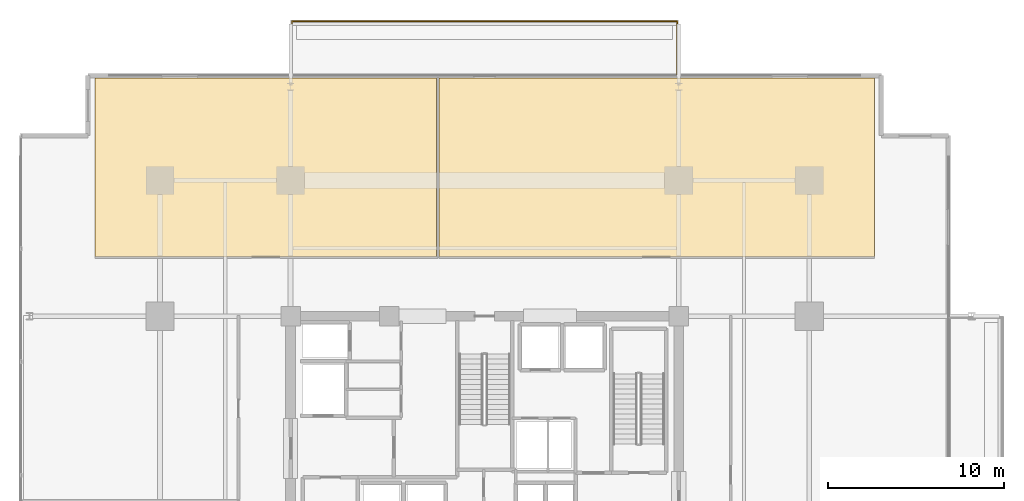
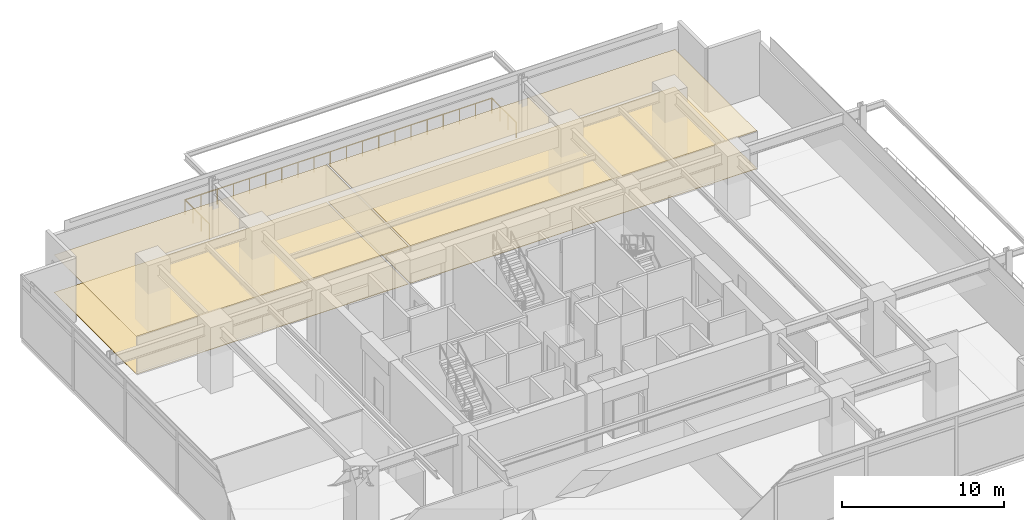
# One storey, part 20 of 20: 4 coverings, 1 railing.
"""IFC4 building model written with IfcOpenShell, lengths in metres."""

from ifc_helpers import new_model, si_unit, direction, frame, origin, origin_2d, place, context, subcontext, project, spatial, polyline, circle, outline, extrude, material, layer, layer_set, type_object, element, save


model = new_model("IFC4")

# Units and contexts
model_context = context("Model", 3, precision=1e-05, world=origin(), true_north=direction((0.0, 1.0)))
body_context = subcontext(model_context, "Body", "Model", "MODEL_VIEW")
ifc_project = project(units=[si_unit("LENGTHUNIT", "METRE"), si_unit("AREAUNIT", "SQUARE_METRE"), si_unit("VOLUMEUNIT", "CUBIC_METRE"), si_unit("PLANEANGLEUNIT", "RADIAN"), si_unit("MASSUNIT", "GRAM", prefix="KILO")], contexts=[model_context])

# Site, building, storey
site_placement = place(None, origin())
site = spatial("IfcSite", under=ifc_project, at=site_placement, CompositionType="ELEMENT")
building_placement = place(site_placement, origin())
building = spatial("IfcBuilding", under=site, at=building_placement, Name="Kovane Verandah Tower", CompositionType="ELEMENT")
storey_placement = place(building_placement, frame((0.0, 0.0, 123.39990234375)))
storey = spatial("IfcBuildingStorey", under=building, at=storey_placement, Name="L28", CompositionType="ELEMENT", Elevation=123.39990234375)

# Coverings
ifc_material_1 = material(Name="Perforated Acoustic Mineral-Fibre Ceiling Tile", Category="gypsum")
ifc_layer_1 = layer(ifc_material_1, 0.02490234375)
ifc_layer_set_1 = layer_set([ifc_layer_1], Name="Perforated Acoustic Mineral-Fibre Ceiling Tile")
covering_type_1 = type_object("IfcCoveringType", Name="CV-CEIL-25", PredefinedType="CEILING", material=ifc_layer_set_1)
covering_1_placement = place(storey_placement, frame((0.0, 0.0, 2.8251953125)))
element("IfcCovering", 1, at=covering_1_placement, inside=storey, type_object=covering_type_1, Name="L28 Sky Lobby Transfer Lounge N1 Acoustic Ceiling", PredefinedType="CEILING", context=body_context, shape_type="SweptSolid", body=[
    extrude(outline(polyline([(17.915283203125, 39.85009765625), (37.27978515625, 39.85009765625), (37.27978515625, 49.9892578125), (17.915283203125, 49.9892578125), (17.915283203125, 39.85009765625)])), origin(), (0.0, 0.0, 1.0), 0.02490234375),
])
covering_2_placement = place(storey_placement, frame((0.0, 0.0, 2.8251953125)))
element("IfcCovering", 2, at=covering_2_placement, inside=storey, type_object=covering_type_1, Name="L28 Client Boardroom N2 Acoustic Ceiling", PredefinedType="CEILING", context=body_context, shape_type="SweptSolid", body=[
    extrude(outline(polyline([(37.419921875, 39.85009765625), (62.084716796875, 39.85009765625), (62.084716796875, 49.9892578125), (37.419921875, 49.9892578125), (37.419921875, 39.85009765625)])), origin(), (0.0, 0.0, 1.0), 0.02490234375),
])
ifc_material_2 = material(Name="Polished Terrazzo and Raised-Access Carpet Tile Finish", Category="concrete")
ifc_layer_2 = layer(ifc_material_2, 0.030029296875)
ifc_layer_set_2 = layer_set([ifc_layer_2], Name="Polished Terrazzo and Raised-Access Carpet Tile Finish")
covering_type_2 = type_object("IfcCoveringType", Name="CV-FLOR-30", PredefinedType="FLOORING", material=ifc_layer_set_2)
covering_3_placement = place(storey_placement, origin())
element("IfcCovering", 3, at=covering_3_placement, inside=storey, type_object=covering_type_2, Name="L28 Sky Lobby Transfer Lounge N1 Floor Finish", PredefinedType="FLOORING", context=body_context, shape_type="SweptSolid", body=[
    extrude(outline(polyline([(17.915283203125, 39.85009765625), (37.27978515625, 39.85009765625), (37.27978515625, 49.9892578125), (17.915283203125, 49.9892578125), (17.915283203125, 39.85009765625)])), origin(), (0.0, 0.0, 1.0), 0.030029296875),
])
covering_4_placement = place(storey_placement, origin())
element("IfcCovering", 4, at=covering_4_placement, inside=storey, type_object=covering_type_2, Name="L28 Client Boardroom N2 Floor Finish", PredefinedType="FLOORING", context=body_context, shape_type="SweptSolid", body=[
    extrude(outline(polyline([(37.419921875, 39.85009765625), (62.084716796875, 39.85009765625), (62.084716796875, 49.9892578125), (37.419921875, 49.9892578125), (37.419921875, 39.85009765625)])), origin(), (0.0, 0.0, 1.0), 0.030029296875),
])

# Railing
ifc_material_3 = material(Name="Laminated Glass and Pale-Champagne Stainless Balustrade", Category="glass")
railing_type = type_object("IfcRailingType", Name="RL-BAL-1150", PredefinedType="BALUSTRADE", material=ifc_material_3)
railing_placement = place(storey_placement, frame((29.080078125, 50.189208984375, 0.0)))
element("IfcRailing", 5, at=railing_placement, inside=storey, type_object=railing_type, Name="L28 N Verandah Glass Balustrade", PredefinedType="BALUSTRADE", context=body_context, shape_type="SweptSolid", body=[
    extrude(circle(Radius=0.02392578125, at=origin_2d()), frame((0.0, 0.0, 1.1259765625), z_axis=(0.0, 1.0, 0.0), x_axis=(-1.0, 0.0, 0.0)), (0.0, 0.0, 1.0), 3.02001953125),
    extrude(circle(Radius=0.02392578125, at=origin_2d()), frame((0.0, 3.02001953125, 1.1259765625), z_axis=(1.0, 0.0, 0.0), x_axis=(0.0, 1.0, 0.0)), (0.0, 0.0, 1.0), 21.83984375),
    extrude(circle(Radius=0.02392578125, at=origin_2d()), frame((21.83984375, 3.02001953125, 1.1259765625), z_axis=(0.0, -1.0, 0.0), x_axis=(1.0, 0.0, 0.0)), (0.0, 0.0, 1.0), 3.02001953125),
    extrude(circle(Radius=0.02099609375, at=origin_2d()), origin(), (0.0, 0.0, 1.0), 1.101806640625),
    extrude(circle(Radius=0.02099609375, at=origin_2d()), frame((0.0, 1.006591796875, 0.0)), (0.0, 0.0, 1.0), 1.101806640625),
    extrude(circle(Radius=0.02099609375, at=origin_2d()), frame((0.0, 2.013427734375, 0.0)), (0.0, 0.0, 1.0), 1.101806640625),
    extrude(circle(Radius=0.02099609375, at=origin_2d()), frame((0.0, 3.02001953125, 0.0)), (0.0, 0.0, 1.0), 1.101806640625),
    extrude(circle(Radius=0.02099609375, at=origin_2d()), frame((1.1494140625, 3.02001953125, 0.0)), (0.0, 0.0, 1.0), 1.101806640625),
    extrude(circle(Radius=0.02099609375, at=origin_2d()), frame((2.298828125, 3.02001953125, 0.0)), (0.0, 0.0, 1.0), 1.101806640625),
    extrude(circle(Radius=0.02099609375, at=origin_2d()), frame((3.448486328125, 3.02001953125, 0.0)), (0.0, 0.0, 1.0), 1.101806640625),
    extrude(circle(Radius=0.02099609375, at=origin_2d()), frame((4.597900390625, 3.02001953125, 0.0)), (0.0, 0.0, 1.0), 1.101806640625),
    extrude(circle(Radius=0.02099609375, at=origin_2d()), frame((5.747314453125, 3.02001953125, 0.0)), (0.0, 0.0, 1.0), 1.101806640625),
    extrude(circle(Radius=0.02099609375, at=origin_2d()), frame((6.896728515625, 3.02001953125, 0.0)), (0.0, 0.0, 1.0), 1.101806640625),
    extrude(circle(Radius=0.02099609375, at=origin_2d()), frame((8.046142578125, 3.02001953125, 0.0)), (0.0, 0.0, 1.0), 1.101806640625),
    extrude(circle(Radius=0.02099609375, at=origin_2d()), frame((9.19580078125, 3.02001953125, 0.0)), (0.0, 0.0, 1.0), 1.101806640625),
    extrude(circle(Radius=0.02099609375, at=origin_2d()), frame((10.34521484375, 3.02001953125, 0.0)), (0.0, 0.0, 1.0), 1.101806640625),
    extrude(circle(Radius=0.02099609375, at=origin_2d()), frame((11.49462890625, 3.02001953125, 0.0)), (0.0, 0.0, 1.0), 1.101806640625),
    extrude(circle(Radius=0.02099609375, at=origin_2d()), frame((12.64404296875, 3.02001953125, 0.0)), (0.0, 0.0, 1.0), 1.101806640625),
    extrude(circle(Radius=0.02099609375, at=origin_2d()), frame((13.793701171875, 3.02001953125, 0.0)), (0.0, 0.0, 1.0), 1.101806640625),
    extrude(circle(Radius=0.02099609375, at=origin_2d()), frame((14.943115234375, 3.02001953125, 0.0)), (0.0, 0.0, 1.0), 1.101806640625),
    extrude(circle(Radius=0.02099609375, at=origin_2d()), frame((16.092529296875, 3.02001953125, 0.0)), (0.0, 0.0, 1.0), 1.101806640625),
    extrude(circle(Radius=0.02099609375, at=origin_2d()), frame((17.241943359375, 3.02001953125, 0.0)), (0.0, 0.0, 1.0), 1.101806640625),
    extrude(circle(Radius=0.02099609375, at=origin_2d()), frame((18.391357421875, 3.02001953125, 0.0)), (0.0, 0.0, 1.0), 1.101806640625),
    extrude(circle(Radius=0.02099609375, at=origin_2d()), frame((19.541015625, 3.02001953125, 0.0)), (0.0, 0.0, 1.0), 1.101806640625),
    extrude(circle(Radius=0.02099609375, at=origin_2d()), frame((20.6904296875, 3.02001953125, 0.0)), (0.0, 0.0, 1.0), 1.101806640625),
    extrude(circle(Radius=0.02099609375, at=origin_2d()), frame((21.83984375, 3.02001953125, 0.0)), (0.0, 0.0, 1.0), 1.101806640625),
    extrude(circle(Radius=0.02099609375, at=origin_2d()), frame((21.83984375, 2.013427734375, 0.0)), (0.0, 0.0, 1.0), 1.101806640625),
    extrude(circle(Radius=0.02099609375, at=origin_2d()), frame((21.83984375, 1.006591796875, 0.0)), (0.0, 0.0, 1.0), 1.101806640625),
    extrude(circle(Radius=0.02099609375, at=origin_2d()), frame((21.83984375, 0.0, 0.0)), (0.0, 0.0, 1.0), 1.101806640625),
])

save(model, "model.ifc")
